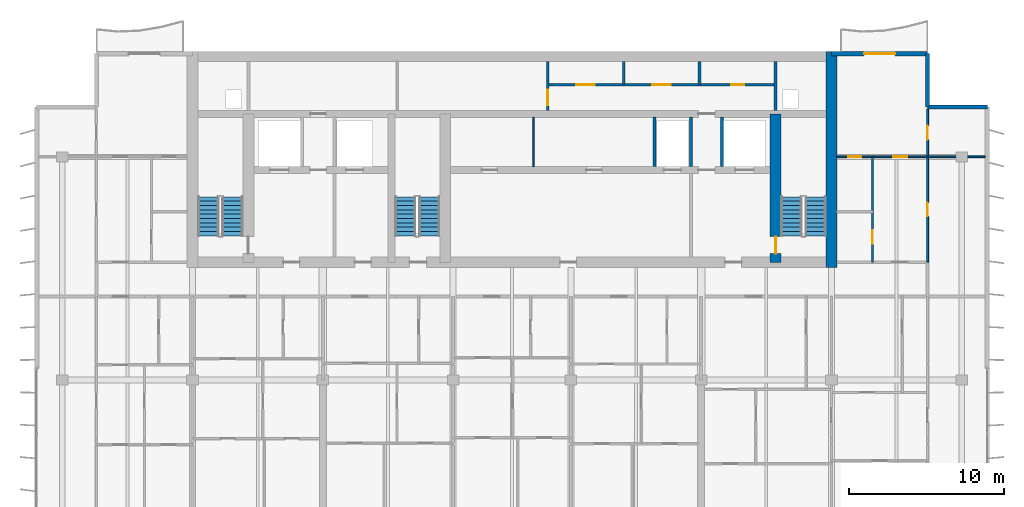
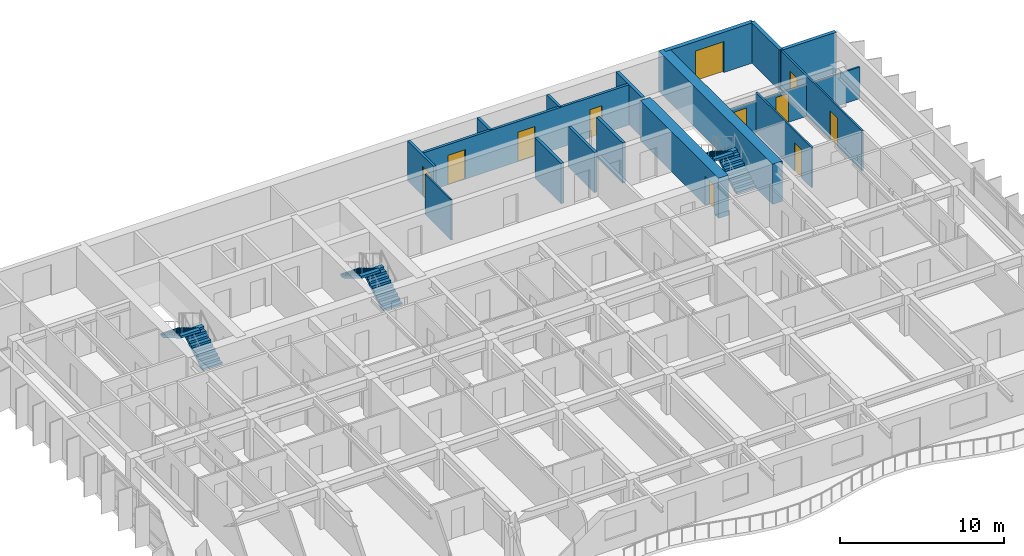
# One storey, part 11 of 16: 17 walls, 11 doors, 6 stair flights, 11 openings, 3 elements without a shape of their own.
"""IFC4 building model written with IfcOpenShell, lengths in metres."""

from ifc_helpers import new_model, si_unit, direction, frame, frame_2d, origin, place, context, subcontext, project, spatial, polyline, rectangle, outline, extrude, material, layer, layer_set, type_object, element, fill, aggregate, save


model = new_model("IFC4")

# Units and contexts
model_context = context("Model", 3, precision=1e-05, world=origin(), true_north=direction((0.0, 1.0)))
body_context = subcontext(model_context, "Body", "Model", "MODEL_VIEW")
ifc_project = project(units=[si_unit("LENGTHUNIT", "METRE"), si_unit("AREAUNIT", "SQUARE_METRE"), si_unit("VOLUMEUNIT", "CUBIC_METRE"), si_unit("PLANEANGLEUNIT", "RADIAN"), si_unit("MASSUNIT", "GRAM", prefix="KILO")], contexts=[model_context])

# Site, building, storey
site_placement = place(None, origin())
site = spatial("IfcSite", under=ifc_project, at=site_placement, CompositionType="ELEMENT")
building_placement = place(site_placement, origin())
building = spatial("IfcBuilding", under=site, at=building_placement, Name="Caelmar Bay Residences", CompositionType="ELEMENT")
storey_placement = place(building_placement, frame((0.0, 0.0, 266.10009765625)))
storey = spatial("IfcBuildingStorey", under=building, at=storey_placement, Name="L75", CompositionType="ELEMENT", Elevation=266.10009765625)

# Wall
ifc_material_1 = material(Name="Concrete f'c 55 MPa (8,000 psi)", Category="concrete")
ifc_layer_1 = layer(ifc_material_1, 0.699951171875)
ifc_layer_set_1 = layer_set([ifc_layer_1], Name="Concrete f'c 55 MPa (8,000 psi)")
wall_type_1 = type_object("IfcWallType", Name="SW-COR-700", PredefinedType="SHEAR", material=ifc_layer_set_1)
wall_1_placement = place(storey_placement, frame((59.5, 36.64990234375, 0.0), z_axis=(0.0, 0.0, 1.0), x_axis=(0.0, 1.0, 0.0)))
element("IfcWall", 1, at=wall_1_placement, inside=storey, type_object=wall_type_1, Name="L75 Rear Core East Shear Wall", PredefinedType="SHEAR", context=body_context, shape_type="SweptSolid", body=[
    extrude(rectangle(XDim=13.9501953125, YDim=0.699951171875, at=frame_2d((6.97509765625, 0.0))), origin(), (0.0, 0.0, 1.0), 3.0),
])

# Wall, opening, door
wall_2_placement = place(storey_placement, frame((55.89990234375, 37.0, 0.0), z_axis=(0.0, 0.0, 1.0), x_axis=(0.0, 1.0, 0.0)))
wall_2 = element("IfcWall", 2, at=wall_2_placement, inside=storey, type_object=wall_type_1, Name="L75 Core Structural Web Wall ST2W", PredefinedType="SHEAR", context=body_context, shape_type="SweptSolid", body=[
    extrude(rectangle(XDim=9.574951171875, YDim=0.699951171875, at=frame_2d((4.78759765625, 0.0))), origin(), (0.0, 0.0, 1.0), 3.0),
])
opening_1_placement = place(wall_2_placement, frame((0.550048828125, 0.0, 0.0)))
opening_1 = element("IfcOpeningElement", 3, at=opening_1_placement, cuts=wall_2, Name="Opening D-L75-110", PredefinedType="OPENING", context=body_context, shape_type="SweptSolid", body=[
    extrude(rectangle(XDim=1.10009765625, YDim=2.14990234375, at=frame_2d((0.550048828125, 1.074951171875))), frame((0.0, 0.35986328125, 0.0), z_axis=(0.0, -1.0, 0.0), x_axis=(1.0, 0.0, 0.0)), (0.0, 0.0, 1.0), 0.719970703125),
])
ifc_material_2 = material(Name="Fire-rated steel and walnut architectural door assembly", Category="steel")
ifc_layer_2 = layer(ifc_material_2, 0.050048828125)
ifc_layer_set_2 = layer_set([ifc_layer_2], Name="Fire-rated steel and walnut architectural door assembly")
door_type_1 = type_object("IfcDoorType", Name="D-STAIR-1100", OperationType="NOTDEFINED", PredefinedType="DOOR", material=ifc_layer_set_2)
door_1_placement = place(opening_1_placement, origin())
door_1 = element("IfcDoor", 4, at=door_1_placement, inside=storey, type_object=door_type_1, Name="L75 Firefighting Lobby East Door", OperationType="SINGLE_SWING_RIGHT", OverallHeight=2.14990234375, OverallWidth=1.10009765625, PredefinedType="DOOR", context=body_context, shape_type="SweptSolid", body=[
    extrude(rectangle(XDim=1.10009765625, YDim=2.14990234375, at=frame_2d((0.550048828125, 1.074951171875))), frame((0.0, 0.02490234375, 0.0), z_axis=(0.0, -1.0, 0.0), x_axis=(1.0, 0.0, 0.0)), (0.0, 0.0, 1.0), 0.050048828125),
])
fill(opening_1, door_1)

ifc_material_3 = material(Name="Double-stud acoustic fire-rated gypsum partition 180 mm")
ifc_layer_3 = layer(ifc_material_3, 0.179931640625)
ifc_layer_set_3 = layer_set([ifc_layer_3], Name="Double-stud acoustic fire-rated gypsum partition 180 mm")
wall_type_2 = type_object("IfcWallType", Name="W-COR-200", PredefinedType="PARTITIONING", material=ifc_layer_set_3)
wall_3_placement = place(storey_placement, frame((41.199951171875, 46.794921875, 0.0), z_axis=(0.0, 0.0, 1.0), x_axis=(0.0, 1.0, 0.0)))
wall_3 = element("IfcWall", 5, at=wall_3_placement, inside=storey, type_object=wall_type_2, Name="L75 Partition Wall V056", PredefinedType="PARTITIONING", context=body_context, shape_type="SweptSolid", body=[
    extrude(rectangle(XDim=3.16015625, YDim=0.179931640625, at=frame_2d((1.580078125, 0.0))), origin(), (0.0, 0.0, 1.0), 3.0),
])
opening_2_placement = place(wall_3_placement, frame((0.327392578125, 0.0, 0.0)))
opening_2 = element("IfcOpeningElement", 6, at=opening_2_placement, cuts=wall_3, Name="Opening D-L75-118", PredefinedType="OPENING", context=body_context, shape_type="SweptSolid", body=[
    extrude(rectangle(XDim=1.0, YDim=2.199951171875, at=frame_2d((0.5, 1.10009765625))), frame((0.0, 0.099853515625, 0.0), z_axis=(0.0, -1.0, 0.0), x_axis=(1.0, 0.0, 0.0)), (0.0, 0.0, 1.0), 0.199951171875),
])
ifc_layer_4 = layer(ifc_material_2, 0.050048828125)
ifc_layer_set_4 = layer_set([ifc_layer_4], Name="Fire-rated steel and walnut architectural door assembly")
door_type_2 = type_object("IfcDoorType", Name="D-UNIT-1000", OperationType="NOTDEFINED", PredefinedType="DOOR", material=ifc_layer_set_4)
door_2_placement = place(opening_2_placement, origin())
door_2 = element("IfcDoor", 7, at=door_2_placement, inside=storey, type_object=door_type_2, Name="L75 Engineering Control Office Door", OperationType="SINGLE_SWING_RIGHT", OverallHeight=2.199951171875, OverallWidth=1.0, PredefinedType="DOOR", context=body_context, shape_type="SweptSolid", body=[
    extrude(rectangle(XDim=1.0, YDim=2.199951171875, at=frame_2d((0.5, 1.10009765625))), frame((0.0, 0.02490234375, 0.0), z_axis=(0.0, -1.0, 0.0), x_axis=(1.0, 0.0, 0.0)), (0.0, 0.0, 1.0), 0.050048828125),
])
fill(opening_2, door_2)

# Walls
for number, where, z_axis, x_axis, name in (
    (8, (46.10009765625, 48.449951171875, 0.0), (0.0, 0.0, 1.0), (0.0, 1.0, 0.0), "L75 Partition Wall V063"),
    (9, (51.0, 48.449951171875, 0.0), (0.0, 0.0, 1.0), (0.0, 1.0, 0.0), "L75 Partition Wall V073"),
):
    element("IfcWall", number, at=place(storey_placement, frame(where, z_axis=z_axis, x_axis=x_axis)), inside=storey, type_object=wall_type_2, Name=name, PredefinedType="PARTITIONING", context=body_context, shape_type="SweptSolid", body=[
        extrude(rectangle(XDim=1.505126953125, YDim=0.179931640625, at=frame_2d((0.75244140625, 0.0))), origin(), (0.0, 0.0, 1.0), 3.0),
    ])

# Wall, openings, doors
wall_4_placement = place(storey_placement, frame((41.199951171875, 48.449951171875, 0.0), z_axis=(0.0, 0.0, 1.0), x_axis=(1.0, 0.0, 0.0)))
wall_4 = element("IfcWall", 10, at=wall_4_placement, inside=storey, type_object=wall_type_2, Name="L75 Partition Wall H140", PredefinedType="PARTITIONING", context=body_context, shape_type="SweptSolid", body=[
    extrude(rectangle(XDim=14.699951171875, YDim=0.179931640625, at=frame_2d((7.35009765625, 0.0))), origin(), (0.0, 0.0, 1.0), 3.0),
])
opening_3_placement = place(wall_4_placement, frame((1.85009765625, 0.0, 0.0)))
opening_3 = element("IfcOpeningElement", 11, at=opening_3_placement, cuts=wall_4, Name="Opening D-L75-119", PredefinedType="OPENING", context=body_context, shape_type="SweptSolid", body=[
    extrude(rectangle(XDim=1.199951171875, YDim=2.199951171875, at=frame_2d((0.60009765625, 1.10009765625))), frame((0.0, 0.099853515625, 0.0), z_axis=(0.0, -1.0, 0.0), x_axis=(1.0, 0.0, 0.0)), (0.0, 0.0, 1.0), 0.199951171875),
])
opening_4_placement = place(wall_4_placement, frame((6.75, 0.0, 0.0)))
opening_4 = element("IfcOpeningElement", 12, at=opening_4_placement, cuts=wall_4, Name="Opening D-L75-120", PredefinedType="OPENING", context=body_context, shape_type="SweptSolid", body=[
    extrude(rectangle(XDim=1.199951171875, YDim=2.199951171875, at=frame_2d((0.60009765625, 1.10009765625))), frame((0.0, 0.099853515625, 0.0), z_axis=(0.0, -1.0, 0.0), x_axis=(1.0, 0.0, 0.0)), (0.0, 0.0, 1.0), 0.199951171875),
])
opening_5_placement = place(wall_4_placement, frame((11.824951171875, 0.0, 0.0)))
opening_5 = element("IfcOpeningElement", 13, at=opening_5_placement, cuts=wall_4, Name="Opening D-L75-121", PredefinedType="OPENING", context=body_context, shape_type="SweptSolid", body=[
    extrude(rectangle(XDim=0.85009765625, YDim=2.10009765625, at=frame_2d((0.425048828125, 1.050048828125))), frame((0.0, 0.099853515625, 0.0), z_axis=(0.0, -1.0, 0.0), x_axis=(1.0, 0.0, 0.0)), (0.0, 0.0, 1.0), 0.199951171875),
])
ifc_layer_5 = layer(ifc_material_2, 0.050048828125)
ifc_layer_set_5 = layer_set([ifc_layer_5], Name="Fire-rated steel and walnut architectural door assembly")
door_type_3 = type_object("IfcDoorType", Name="D-CORE-850", OperationType="NOTDEFINED", PredefinedType="DOOR", material=ifc_layer_set_5)
door_3_placement = place(opening_5_placement, origin())
door_3 = element("IfcDoor", 14, at=door_3_placement, inside=storey, type_object=door_type_3, Name="L75 Accessible Staff WC Door", OperationType="SINGLE_SWING_LEFT", OverallHeight=2.10009765625, OverallWidth=0.85009765625, PredefinedType="DOOR", context=body_context, shape_type="SweptSolid", body=[
    extrude(rectangle(XDim=0.85009765625, YDim=2.10009765625, at=frame_2d((0.425048828125, 1.050048828125))), frame((0.0, 0.02490234375, 0.0), z_axis=(0.0, -1.0, 0.0), x_axis=(1.0, 0.0, 0.0)), (0.0, 0.0, 1.0), 0.050048828125),
])
fill(opening_5, door_3)
ifc_layer_6 = layer(ifc_material_2, 0.050048828125)
ifc_layer_set_6 = layer_set([ifc_layer_6], Name="Fire-rated steel and walnut architectural door assembly")
door_type_4 = type_object("IfcDoorType", Name="D-PLANT-1200", OperationType="NOTDEFINED", PredefinedType="DOOR", material=ifc_layer_set_6)
door_4_placement = place(opening_3_placement, origin())
door_4 = element("IfcDoor", 15, at=door_4_placement, inside=storey, type_object=door_type_4, Name="L75 Electrical Closet Door", OperationType="SINGLE_SWING_LEFT", OverallHeight=2.199951171875, OverallWidth=1.199951171875, PredefinedType="DOOR", context=body_context, shape_type="SweptSolid", body=[
    extrude(rectangle(XDim=1.199951171875, YDim=2.199951171875, at=frame_2d((0.60009765625, 1.10009765625))), frame((0.0, 0.02490234375, 0.0), z_axis=(0.0, -1.0, 0.0), x_axis=(1.0, 0.0, 0.0)), (0.0, 0.0, 1.0), 0.050048828125),
])
fill(opening_3, door_4)
door_5_placement = place(opening_4_placement, origin())
door_5 = element("IfcDoor", 16, at=door_5_placement, inside=storey, type_object=door_type_4, Name="L75 Housekeeping Linen Closet Door", OperationType="SINGLE_SWING_RIGHT", OverallHeight=2.199951171875, OverallWidth=1.199951171875, PredefinedType="DOOR", context=body_context, shape_type="SweptSolid", body=[
    extrude(rectangle(XDim=1.199951171875, YDim=2.199951171875, at=frame_2d((0.60009765625, 1.10009765625))), frame((0.0, 0.02490234375, 0.0), z_axis=(0.0, -1.0, 0.0), x_axis=(1.0, 0.0, 0.0)), (0.0, 0.0, 1.0), 0.050048828125),
])
fill(opening_4, door_5)

# Walls
ifc_material_4 = material(Name="Precast concrete f'c 40 MPa (6,000 psi)", Category="concrete")
ifc_layer_7 = layer(ifc_material_4, 0.25)
ifc_layer_set_7 = layer_set([ifc_layer_7], Name="Precast concrete f'c 40 MPa (6,000 psi)")
wall_type_3 = type_object("IfcWallType", Name="W-EXT-250", PredefinedType="ELEMENTEDWALL", material=ifc_layer_set_7)
wall_5_placement = place(storey_placement, frame((65.699951171875, 50.449951171875, 0.0), z_axis=(0.0, 0.0, 1.0), x_axis=(0.0, -1.0, 0.0)))
element("IfcWall", 17, at=wall_5_placement, inside=storey, type_object=wall_type_3, Name="L75 NNE-V Notch Wall", PredefinedType="ELEMENTEDWALL", context=body_context, shape_type="SweptSolid", body=[
    extrude(rectangle(XDim=3.449951171875, YDim=0.25, at=frame_2d((1.72509765625, 0.0))), origin(), (0.0, 0.0, 1.0), 3.0),
])
wall_6_placement = place(storey_placement, frame((65.699951171875, 47.0, 0.0), z_axis=(0.0, 0.0, 1.0), x_axis=(1.0, 0.0, 0.0)))
element("IfcWall", 18, at=wall_6_placement, inside=storey, type_object=wall_type_3, Name="L75 NNE-H Notch Wall", PredefinedType="ELEMENTEDWALL", context=body_context, shape_type="SweptSolid", body=[
    extrude(rectangle(XDim=3.85009765625, YDim=0.25, at=frame_2d((1.925048828125, 0.0))), origin(), (0.0, 0.0, 1.0), 3.0),
])

# Wall, opening, door
ifc_layer_8 = layer(ifc_material_4, 0.300048828125)
ifc_layer_set_8 = layer_set([ifc_layer_8], Name="Precast concrete f'c 40 MPa (6,000 psi)")
wall_type_4 = type_object("IfcWallType", Name="W-EXT-300", PredefinedType="STANDARD", material=ifc_layer_set_8)
wall_7_placement = place(storey_placement, frame((59.5, 50.449951171875, 0.0), z_axis=(0.0, 0.0, 1.0), x_axis=(1.0, 0.0, 0.0)))
wall_7 = element("IfcWall", 19, at=wall_7_placement, inside=storey, type_object=wall_type_4, Name="L75 North-East Wing Exterior Wall", PredefinedType="STANDARD", context=body_context, shape_type="SweptSolid", body=[
    extrude(rectangle(XDim=6.199951171875, YDim=0.300048828125, at=frame_2d((3.10009765625, 0.0))), origin(), (0.0, 0.0, 1.0), 3.0),
])
opening_6_placement = place(wall_7_placement, frame((2.10009765625, 0.0, 0.0)))
opening_6 = element("IfcOpeningElement", 20, at=opening_6_placement, cuts=wall_7, Name="Opening L75-BDNE", PredefinedType="OPENING", context=body_context, shape_type="SweptSolid", body=[
    extrude(rectangle(XDim=2.0, YDim=2.300048828125, at=frame_2d((1.0, 1.14990234375))), frame((0.0, 0.159912109375, 0.0), z_axis=(0.0, -1.0, 0.0), x_axis=(1.0, 0.0, 0.0)), (0.0, 0.0, 1.0), 0.320068359375),
])
ifc_material_5 = material(Name="Anodised bronze thermally broken sliding glass door", Category="glass")
ifc_layer_9 = layer(ifc_material_5, 0.050048828125)
ifc_layer_set_9 = layer_set([ifc_layer_9], Name="Anodised bronze thermally broken sliding glass door")
door_type_5 = type_object("IfcDoorType", Name="D-BAL-2000", OperationType="DOUBLE_DOOR_SLIDING", PredefinedType="DOOR", material=ifc_layer_set_9)
door_6_placement = place(opening_6_placement, origin())
door_6 = element("IfcDoor", 21, at=door_6_placement, inside=storey, type_object=door_type_5, Name="L75 North-East Balcony Door", OperationType="DOUBLE_DOOR_SLIDING", OverallHeight=2.300048828125, OverallWidth=2.0, PredefinedType="DOOR", context=body_context, shape_type="SweptSolid", body=[
    extrude(rectangle(XDim=2.0, YDim=2.300048828125, at=frame_2d((1.0, 1.14990234375))), frame((0.0, 0.02490234375, 0.0), z_axis=(0.0, -1.0, 0.0), x_axis=(1.0, 0.0, 0.0)), (0.0, 0.0, 1.0), 0.050048828125),
])
fill(opening_6, door_6)

# Walls
ifc_material_6 = material(Name="Fire-rated masonry and gypsum shaftliner assembly 200 mm", Category="masonry")
ifc_layer_10 = layer(ifc_material_6, 0.199951171875)
ifc_layer_set_10 = layer_set([ifc_layer_10], Name="Fire-rated masonry and gypsum shaftliner assembly 200 mm")
wall_type_5 = type_object("IfcWallType", Name="W-FSAE-200", PredefinedType="PARTITIONING", material=ifc_layer_set_10)
for number, where, z_axis, x_axis, name in (
    (22, (48.10009765625, 43.169921875, 0.0), (0.0, 0.0, 1.0), (0.0, 1.0, 0.0), "L75 Partition Wall V068"),
    (23, (50.449951171875, 43.169921875, 0.0), (0.0, 0.0, 1.0), (0.0, 1.0, 0.0), "L75 Partition Wall V072"),
    (24, (52.449951171875, 43.169921875, 0.0), (0.0, 0.0, 1.0), (0.0, 1.0, 0.0), "L75 Partition Wall V079"),
):
    element("IfcWall", number, at=place(storey_placement, frame(where, z_axis=z_axis, x_axis=x_axis)), inside=storey, type_object=wall_type_5, Name=name, PredefinedType="PARTITIONING", context=body_context, shape_type="SweptSolid", body=[
        extrude(rectangle(XDim=3.18505859375, YDim=0.199951171875, at=frame_2d((1.592529296875, 0.0))), origin(), (0.0, 0.0, 1.0), 3.0),
    ])
wall_8_placement = place(storey_placement, frame((55.89990234375, 46.794921875, 0.0), z_axis=(0.0, 0.0, 1.0), x_axis=(0.0, 1.0, 0.0)))
element("IfcWall", 25, at=wall_8_placement, inside=storey, type_object=wall_type_5, Name="L75 Partition Wall V083", PredefinedType="PARTITIONING", context=body_context, shape_type="SweptSolid", body=[
    extrude(rectangle(XDim=3.16015625, YDim=0.199951171875, at=frame_2d((1.580078125, 0.0))), origin(), (0.0, 0.0, 1.0), 3.0),
])
ifc_material_7 = material(Name="Anodised bronze framed acoustic sliding study partition 100 mm")
ifc_layer_11 = layer(ifc_material_7, 0.10009765625)
ifc_layer_set_11 = layer_set([ifc_layer_11], Name="Anodised bronze framed acoustic sliding study partition 100 mm")
wall_type_6 = type_object("IfcWallType", Name="W-MOV-100", PredefinedType="MOVABLE", material=ifc_layer_set_11)
wall_9_placement = place(storey_placement, frame((40.300048828125, 43.169921875, 0.0), z_axis=(0.0, 0.0, 1.0), x_axis=(0.0, 1.0, 0.0)))
element("IfcWall", 26, at=wall_9_placement, inside=storey, type_object=wall_type_6, Name="L75 Partition Wall V055", PredefinedType="MOVABLE", context=body_context, shape_type="SweptSolid", body=[
    extrude(rectangle(XDim=3.18505859375, YDim=0.10009765625, at=frame_2d((1.592529296875, 0.0))), origin(), (0.0, 0.0, 1.0), 3.0),
])

# Wall, opening, door
ifc_material_8 = material(Name="Acoustic metal-stud gypsum partition 120 mm")
ifc_layer_12 = layer(ifc_material_8, 0.1201171875)
ifc_layer_set_12 = layer_set([ifc_layer_12], Name="Acoustic metal-stud gypsum partition 120 mm")
wall_type_7 = type_object("IfcWallType", Name="W-PRT-120", PredefinedType="PARTITIONING", material=ifc_layer_set_12)
wall_10_placement = place(storey_placement, frame((62.14990234375, 37.0, 0.0), z_axis=(0.0, 0.0, 1.0), x_axis=(0.0, 1.0, 0.0)))
wall_10 = element("IfcWall", 27, at=wall_10_placement, inside=storey, type_object=wall_type_7, Name="L75 Partition Wall V093", PredefinedType="PARTITIONING", context=body_context, shape_type="SweptSolid", body=[
    extrude(rectangle(XDim=6.800048828125, YDim=0.1201171875, at=frame_2d((3.39990234375, 0.0))), origin(), (0.0, 0.0, 1.0), 3.0),
])
opening_7_placement = place(wall_10_placement, frame((1.20703125, 0.0, 0.0)))
opening_7 = element("IfcOpeningElement", 28, at=opening_7_placement, cuts=wall_10, Name="Opening D-L75-175", PredefinedType="OPENING", context=body_context, shape_type="SweptSolid", body=[
    extrude(rectangle(XDim=0.85009765625, YDim=2.10009765625, at=frame_2d((0.425048828125, 1.050048828125))), frame((0.0, 0.070068359375, 0.0), z_axis=(0.0, -1.0, 0.0), x_axis=(1.0, 0.0, 0.0)), (0.0, 0.0, 1.0), 0.14013671875),
])
ifc_material_9 = material(Name="Solid walnut timber interior door leaf and frame", Category="wood")
ifc_layer_13 = layer(ifc_material_9, 0.050048828125)
ifc_layer_set_13 = layer_set([ifc_layer_13], Name="Solid walnut timber interior door leaf and frame")
door_type_6 = type_object("IfcDoorType", Name="D-BATH-850", OperationType="NOTDEFINED", PredefinedType="DOOR", material=ifc_layer_set_13)
door_7_placement = place(opening_7_placement, origin())
door_7 = element("IfcDoor", 29, at=door_7_placement, inside=storey, type_object=door_type_6, Name="L75 Residence EA Walk-In Closet Door", OperationType="SINGLE_SWING_LEFT", OverallHeight=2.10009765625, OverallWidth=0.85009765625, PredefinedType="DOOR", context=body_context, shape_type="SweptSolid", body=[
    extrude(rectangle(XDim=0.85009765625, YDim=2.10009765625, at=frame_2d((0.425048828125, 1.050048828125))), frame((0.0, 0.02490234375, 0.0), z_axis=(0.0, -1.0, 0.0), x_axis=(1.0, 0.0, 0.0)), (0.0, 0.0, 1.0), 0.050048828125),
])
fill(opening_7, door_7)

# Wall, openings, doors
wall_11_placement = place(storey_placement, frame((65.699951171875, 37.0048828125, 0.0), z_axis=(0.0, 0.0, 1.0), x_axis=(0.0, 1.0, 0.0)))
wall_11 = element("IfcWall", 30, at=wall_11_placement, inside=storey, type_object=wall_type_7, Name="L75 Partition Wall V103", PredefinedType="PARTITIONING", context=body_context, shape_type="SweptSolid", body=[
    extrude(rectangle(XDim=9.875, YDim=0.1201171875, at=frame_2d((4.9375, 0.0))), origin(), (0.0, 0.0, 1.0), 3.0),
])
opening_8_placement = place(wall_11_placement, frame((2.947509765625, 0.0, 0.0)))
opening_8 = element("IfcOpeningElement", 31, at=opening_8_placement, cuts=wall_11, Name="Opening D-L75-177", PredefinedType="OPENING", context=body_context, shape_type="SweptSolid", body=[
    extrude(rectangle(XDim=0.89990234375, YDim=2.14990234375, at=frame_2d((0.449951171875, 1.074951171875))), frame((0.0, 0.070068359375, 0.0), z_axis=(0.0, -1.0, 0.0), x_axis=(1.0, 0.0, 0.0)), (0.0, 0.0, 1.0), 0.14013671875),
])
opening_9_placement = place(wall_11_placement, frame((7.885009765625, 0.0, 0.0)))
opening_9 = element("IfcOpeningElement", 32, at=opening_9_placement, cuts=wall_11, Name="Opening D-L75-178", PredefinedType="OPENING", context=body_context, shape_type="SweptSolid", body=[
    extrude(rectangle(XDim=0.89990234375, YDim=2.14990234375, at=frame_2d((0.449951171875, 1.074951171875))), frame((0.0, 0.070068359375, 0.0), z_axis=(0.0, -1.0, 0.0), x_axis=(1.0, 0.0, 0.0)), (0.0, 0.0, 1.0), 0.14013671875),
])
ifc_layer_14 = layer(ifc_material_9, 0.050048828125)
ifc_layer_set_14 = layer_set([ifc_layer_14], Name="Solid walnut timber interior door leaf and frame")
door_type_7 = type_object("IfcDoorType", Name="D-ROOM-900", OperationType="NOTDEFINED", PredefinedType="DOOR", material=ifc_layer_set_14)
door_8_placement = place(opening_8_placement, origin())
door_8 = element("IfcDoor", 33, at=door_8_placement, inside=storey, type_object=door_type_7, Name="L75 Residence EA Sun Study Door", OperationType="SINGLE_SWING_LEFT", OverallHeight=2.14990234375, OverallWidth=0.89990234375, PredefinedType="DOOR", context=body_context, shape_type="SweptSolid", body=[
    extrude(rectangle(XDim=0.89990234375, YDim=2.14990234375, at=frame_2d((0.449951171875, 1.074951171875))), frame((0.0, 0.02490234375, 0.0), z_axis=(0.0, -1.0, 0.0), x_axis=(1.0, 0.0, 0.0)), (0.0, 0.0, 1.0), 0.050048828125),
])
fill(opening_8, door_8)
door_9_placement = place(opening_9_placement, origin())
door_9 = element("IfcDoor", 34, at=door_9_placement, inside=storey, type_object=door_type_7, Name="L75 Residence EA North Sitting Alcove Door", OperationType="SINGLE_SWING_RIGHT", OverallHeight=2.14990234375, OverallWidth=0.89990234375, PredefinedType="DOOR", context=body_context, shape_type="SweptSolid", body=[
    extrude(rectangle(XDim=0.89990234375, YDim=2.14990234375, at=frame_2d((0.449951171875, 1.074951171875))), frame((0.0, 0.02490234375, 0.0), z_axis=(0.0, -1.0, 0.0), x_axis=(1.0, 0.0, 0.0)), (0.0, 0.0, 1.0), 0.050048828125),
])
fill(opening_9, door_9)

wall_12_placement = place(storey_placement, frame((59.844970703125, 43.800048828125, 0.0), z_axis=(0.0, 0.0, 1.0), x_axis=(1.0, 0.0, 0.0)))
wall_12 = element("IfcWall", 35, at=wall_12_placement, inside=storey, type_object=wall_type_7, Name="L75 Partition Wall H139", PredefinedType="PARTITIONING", context=body_context, shape_type="SweptSolid", body=[
    extrude(rectangle(XDim=9.56005859375, YDim=0.1201171875, at=frame_2d((4.780029296875, 0.0))), origin(), (0.0, 0.0, 1.0), 2.367919921875),
])
opening_10_placement = place(wall_12_placement, frame((3.6298828125, 0.0, 0.0)))
opening_10 = element("IfcOpeningElement", 36, at=opening_10_placement, cuts=wall_12, Name="Opening D-L75-174", PredefinedType="OPENING", context=body_context, shape_type="SweptSolid", body=[
    extrude(rectangle(XDim=0.89990234375, YDim=2.14990234375, at=frame_2d((0.449951171875, 1.074951171875))), frame((0.0, 0.070068359375, 0.0), z_axis=(0.0, -1.0, 0.0), x_axis=(1.0, 0.0, 0.0)), (0.0, 0.0, 1.0), 0.14013671875),
])
opening_11_placement = place(wall_12_placement, frame((0.7275390625, 0.0, 0.0)))
opening_11 = element("IfcOpeningElement", 37, at=opening_11_placement, cuts=wall_12, Name="Opening D-L75-176", PredefinedType="OPENING", context=body_context, shape_type="SweptSolid", body=[
    extrude(rectangle(XDim=0.85009765625, YDim=2.10009765625, at=frame_2d((0.425048828125, 1.050048828125))), frame((0.0, 0.070068359375, 0.0), z_axis=(0.0, -1.0, 0.0), x_axis=(1.0, 0.0, 0.0)), (0.0, 0.0, 1.0), 0.14013671875),
])
door_10_placement = place(opening_11_placement, origin())
door_10 = element("IfcDoor", 38, at=door_10_placement, inside=storey, type_object=door_type_6, Name="L75 Residence EA Bathroom Door", OperationType="SINGLE_SWING_RIGHT", OverallHeight=2.10009765625, OverallWidth=0.85009765625, PredefinedType="DOOR", context=body_context, shape_type="SweptSolid", body=[
    extrude(rectangle(XDim=0.85009765625, YDim=2.10009765625, at=frame_2d((0.425048828125, 1.050048828125))), frame((0.0, 0.02490234375, 0.0), z_axis=(0.0, -1.0, 0.0), x_axis=(1.0, 0.0, 0.0)), (0.0, 0.0, 1.0), 0.050048828125),
])
fill(opening_11, door_10)
door_11_placement = place(opening_10_placement, origin())
door_11 = element("IfcDoor", 39, at=door_11_placement, inside=storey, type_object=door_type_7, Name="L75 Residence EA Studio Living and Sleeping Room Door", OperationType="SINGLE_SWING_RIGHT", OverallHeight=2.14990234375, OverallWidth=0.89990234375, PredefinedType="DOOR", context=body_context, shape_type="SweptSolid", body=[
    extrude(rectangle(XDim=0.89990234375, YDim=2.14990234375, at=frame_2d((0.449951171875, 1.074951171875))), frame((0.0, 0.02490234375, 0.0), z_axis=(0.0, -1.0, 0.0), x_axis=(1.0, 0.0, 0.0)), (0.0, 0.0, 1.0), 0.050048828125),
])
fill(opening_10, door_11)

# Stair, stair flights
ifc_material_10 = material(Name="Concrete f'c 40 MPa (6,000 psi)", Category="concrete")
stair_type = type_object("IfcStairType", Name="ST-TYP-165", PredefinedType="HALF_TURN_STAIR", material=ifc_material_10)
stair_1_placement = place(storey_placement, origin())
stair_1 = element("IfcStair", 40, at=stair_1_placement, inside=storey, type_object=stair_type, Name="L75 West Smokeproof Exit Stair ST1", PredefinedType="HALF_TURN_STAIR")
stair_flight_type = type_object("IfcStairFlightType", Name="STF-1350", PredefinedType="STRAIGHT", material=ifc_material_10)
stair_flight_1_placement = place(storey_placement, frame((20.875, 38.699951171875, 0.0), z_axis=(0.0, 0.0, 1.0), x_axis=(0.0, 1.0, 0.0)))
stair_flight_1 = element("IfcStairFlight", 41, at=stair_flight_1_placement, type_object=stair_flight_type, Name="ST1 flight 1", NumberOfRisers=10, NumberOfTreads=9, PredefinedType="STRAIGHT", RiserHeight=0.165, TreadLength=0.28, context=body_context, shape_type="SweptSolid", body=[
    extrude(outline(polyline([(0.0, 0.0), (0.0, 0.1650390625), (0.280029296875, 0.1650390625), (0.280029296875, 0.330078125), (0.56005859375, 0.330078125), (0.56005859375, 0.4951171875), (0.840087890625, 0.4951171875), (0.840087890625, 0.659912109375), (1.1201171875, 0.659912109375), (1.1201171875, 0.824951171875), (1.39990234375, 0.824951171875), (1.39990234375, 0.989990234375), (1.679931640625, 0.989990234375), (1.679931640625, 1.155029296875), (1.9599609375, 1.155029296875), (1.9599609375, 1.320068359375), (2.239990234375, 1.320068359375), (2.239990234375, 1.485107421875), (2.52001953125, 1.485107421875), (2.52001953125, 1.64990234375), (2.52001953125, 1.31103515625), (0.295166015625, 0.0), (0.0, 0.0)])), frame((0.0, 0.675048828125, 0.0), z_axis=(0.0, -1.0, 0.0), x_axis=(1.0, 0.0, 0.0)), (0.0, 0.0, 1.0), 1.35009765625),
])
stair_flight_2_placement = place(storey_placement, frame((19.324951171875, 41.219970703125, 1.64990234375), z_axis=(0.0, 0.0, 1.0), x_axis=(0.0, -1.0, 0.0)))
stair_flight_2 = element("IfcStairFlight", 42, at=stair_flight_2_placement, type_object=stair_flight_type, Name="ST1 flight 2", NumberOfRisers=10, NumberOfTreads=9, PredefinedType="STRAIGHT", RiserHeight=0.165, TreadLength=0.28, context=body_context, shape_type="SweptSolid", body=[
    extrude(outline(polyline([(0.0, 0.0), (0.0, 0.1650390625), (0.280029296875, 0.1650390625), (0.280029296875, 0.330078125), (0.56005859375, 0.330078125), (0.56005859375, 0.4951171875), (0.840087890625, 0.4951171875), (0.840087890625, 0.659912109375), (1.1201171875, 0.659912109375), (1.1201171875, 0.824951171875), (1.39990234375, 0.824951171875), (1.39990234375, 0.989990234375), (1.679931640625, 0.989990234375), (1.679931640625, 1.155029296875), (1.9599609375, 1.155029296875), (1.9599609375, 1.320068359375), (2.239990234375, 1.320068359375), (2.239990234375, 1.485107421875), (2.52001953125, 1.485107421875), (2.52001953125, 1.64990234375), (2.52001953125, 1.31103515625), (0.295166015625, 0.0), (0.0, 0.0)])), frame((0.0, 0.675048828125, 0.0), z_axis=(0.0, -1.0, 0.0), x_axis=(1.0, 0.0, 0.0)), (0.0, 0.0, 1.0), 1.35009765625),
])
aggregate(stair_1, [stair_flight_1, stair_flight_2])

stair_2_placement = place(storey_placement, origin())
stair_2 = element("IfcStair", 43, at=stair_2_placement, inside=storey, type_object=stair_type, Name="L75 East Smokeproof Exit Stair ST2", PredefinedType="HALF_TURN_STAIR")
stair_flight_3_placement = place(storey_placement, frame((58.47509765625, 38.699951171875, 0.0), z_axis=(0.0, 0.0, 1.0), x_axis=(0.0, 1.0, 0.0)))
stair_flight_3 = element("IfcStairFlight", 44, at=stair_flight_3_placement, type_object=stair_flight_type, Name="ST2 flight 1", NumberOfRisers=10, NumberOfTreads=9, PredefinedType="STRAIGHT", RiserHeight=0.165, TreadLength=0.28, context=body_context, shape_type="SweptSolid", body=[
    extrude(outline(polyline([(0.0, 0.0), (0.0, 0.1650390625), (0.280029296875, 0.1650390625), (0.280029296875, 0.330078125), (0.56005859375, 0.330078125), (0.56005859375, 0.4951171875), (0.840087890625, 0.4951171875), (0.840087890625, 0.659912109375), (1.1201171875, 0.659912109375), (1.1201171875, 0.824951171875), (1.39990234375, 0.824951171875), (1.39990234375, 0.989990234375), (1.679931640625, 0.989990234375), (1.679931640625, 1.155029296875), (1.9599609375, 1.155029296875), (1.9599609375, 1.320068359375), (2.239990234375, 1.320068359375), (2.239990234375, 1.485107421875), (2.52001953125, 1.485107421875), (2.52001953125, 1.64990234375), (2.52001953125, 1.31103515625), (0.295166015625, 0.0), (0.0, 0.0)])), frame((0.0, 0.675048828125, 0.0), z_axis=(0.0, -1.0, 0.0), x_axis=(1.0, 0.0, 0.0)), (0.0, 0.0, 1.0), 1.35009765625),
])
stair_flight_4_placement = place(storey_placement, frame((56.925048828125, 41.219970703125, 1.64990234375), z_axis=(0.0, 0.0, 1.0), x_axis=(0.0, -1.0, 0.0)))
stair_flight_4 = element("IfcStairFlight", 45, at=stair_flight_4_placement, type_object=stair_flight_type, Name="ST2 flight 2", NumberOfRisers=10, NumberOfTreads=9, PredefinedType="STRAIGHT", RiserHeight=0.165, TreadLength=0.28, context=body_context, shape_type="SweptSolid", body=[
    extrude(outline(polyline([(0.0, 0.0), (0.0, 0.1650390625), (0.280029296875, 0.1650390625), (0.280029296875, 0.330078125), (0.56005859375, 0.330078125), (0.56005859375, 0.4951171875), (0.840087890625, 0.4951171875), (0.840087890625, 0.659912109375), (1.1201171875, 0.659912109375), (1.1201171875, 0.824951171875), (1.39990234375, 0.824951171875), (1.39990234375, 0.989990234375), (1.679931640625, 0.989990234375), (1.679931640625, 1.155029296875), (1.9599609375, 1.155029296875), (1.9599609375, 1.320068359375), (2.239990234375, 1.320068359375), (2.239990234375, 1.485107421875), (2.52001953125, 1.485107421875), (2.52001953125, 1.64990234375), (2.52001953125, 1.31103515625), (0.295166015625, 0.0), (0.0, 0.0)])), frame((0.0, 0.675048828125, 0.0), z_axis=(0.0, -1.0, 0.0), x_axis=(1.0, 0.0, 0.0)), (0.0, 0.0, 1.0), 1.35009765625),
])
aggregate(stair_2, [stair_flight_3, stair_flight_4])

stair_3_placement = place(storey_placement, origin())
stair_3 = element("IfcStair", 46, at=stair_3_placement, inside=storey, type_object=stair_type, Name="L75 Central Smokeproof Exit Stair ST3", PredefinedType="HALF_TURN_STAIR")
stair_flight_5_placement = place(storey_placement, frame((33.574951171875, 38.699951171875, 0.0), z_axis=(0.0, 0.0, 1.0), x_axis=(0.0, 1.0, 0.0)))
stair_flight_5 = element("IfcStairFlight", 47, at=stair_flight_5_placement, type_object=stair_flight_type, Name="ST3 flight 1", NumberOfRisers=10, NumberOfTreads=9, PredefinedType="STRAIGHT", RiserHeight=0.165, TreadLength=0.28, context=body_context, shape_type="SweptSolid", body=[
    extrude(outline(polyline([(0.0, 0.0), (0.0, 0.1650390625), (0.280029296875, 0.1650390625), (0.280029296875, 0.330078125), (0.56005859375, 0.330078125), (0.56005859375, 0.4951171875), (0.840087890625, 0.4951171875), (0.840087890625, 0.659912109375), (1.1201171875, 0.659912109375), (1.1201171875, 0.824951171875), (1.39990234375, 0.824951171875), (1.39990234375, 0.989990234375), (1.679931640625, 0.989990234375), (1.679931640625, 1.155029296875), (1.9599609375, 1.155029296875), (1.9599609375, 1.320068359375), (2.239990234375, 1.320068359375), (2.239990234375, 1.485107421875), (2.52001953125, 1.485107421875), (2.52001953125, 1.64990234375), (2.52001953125, 1.31103515625), (0.295166015625, 0.0), (0.0, 0.0)])), frame((0.0, 0.675048828125, 0.0), z_axis=(0.0, -1.0, 0.0), x_axis=(1.0, 0.0, 0.0)), (0.0, 0.0, 1.0), 1.35009765625),
])
stair_flight_6_placement = place(storey_placement, frame((32.02490234375, 41.219970703125, 1.64990234375), z_axis=(0.0, 0.0, 1.0), x_axis=(0.0, -1.0, 0.0)))
stair_flight_6 = element("IfcStairFlight", 48, at=stair_flight_6_placement, type_object=stair_flight_type, Name="ST3 flight 2", NumberOfRisers=10, NumberOfTreads=9, PredefinedType="STRAIGHT", RiserHeight=0.165, TreadLength=0.28, context=body_context, shape_type="SweptSolid", body=[
    extrude(outline(polyline([(0.0, 0.0), (0.0, 0.1650390625), (0.280029296875, 0.1650390625), (0.280029296875, 0.330078125), (0.56005859375, 0.330078125), (0.56005859375, 0.4951171875), (0.840087890625, 0.4951171875), (0.840087890625, 0.659912109375), (1.1201171875, 0.659912109375), (1.1201171875, 0.824951171875), (1.39990234375, 0.824951171875), (1.39990234375, 0.989990234375), (1.679931640625, 0.989990234375), (1.679931640625, 1.155029296875), (1.9599609375, 1.155029296875), (1.9599609375, 1.320068359375), (2.239990234375, 1.320068359375), (2.239990234375, 1.485107421875), (2.52001953125, 1.485107421875), (2.52001953125, 1.64990234375), (2.52001953125, 1.31103515625), (0.295166015625, 0.0), (0.0, 0.0)])), frame((0.0, 0.675048828125, 0.0), z_axis=(0.0, -1.0, 0.0), x_axis=(1.0, 0.0, 0.0)), (0.0, 0.0, 1.0), 1.35009765625),
])
aggregate(stair_3, [stair_flight_5, stair_flight_6])

save(model, "model.ifc")
